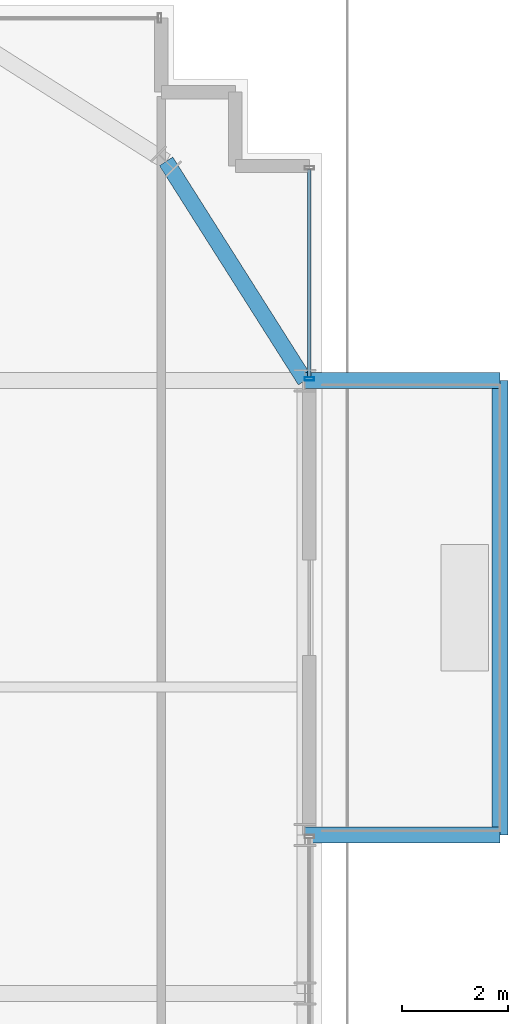
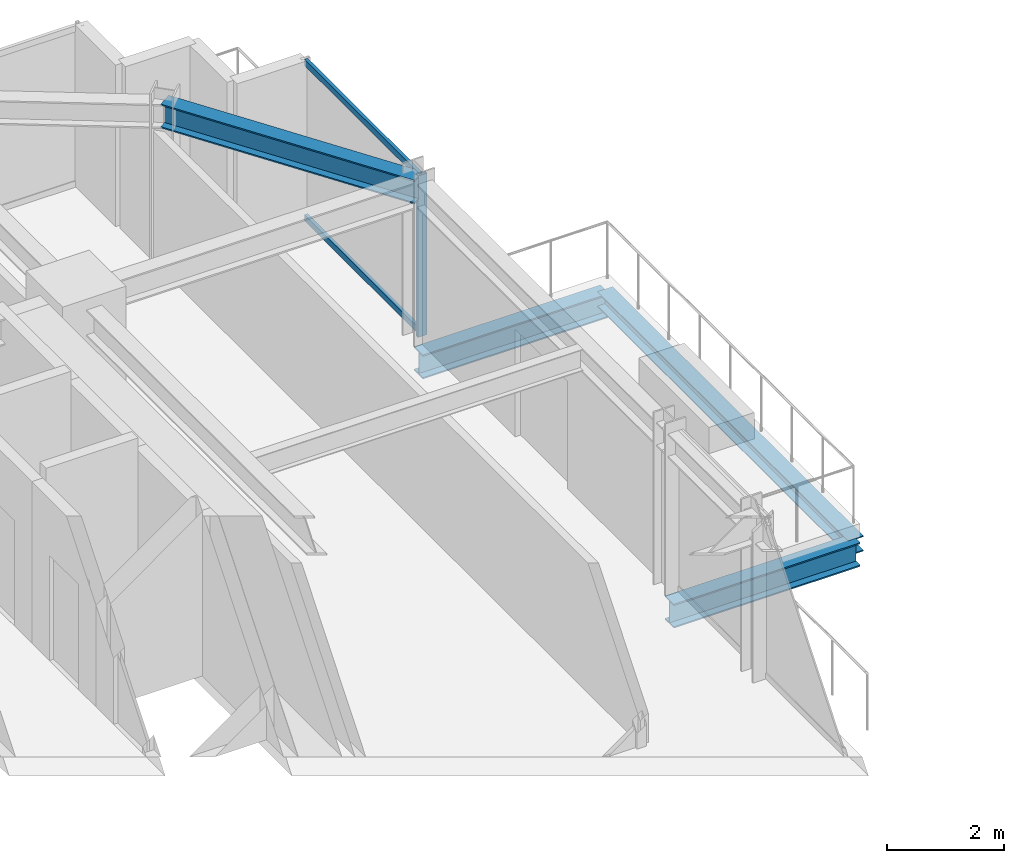
# One storey, part 24 of 34: 4 beams, 3 members, 1 element without a shape of its own.
"""IFC4 building model written with IfcOpenShell, lengths in metres."""

from ifc_helpers import new_model, si_unit, direction, frame, origin, origin_2d, place, context, subcontext, project, spatial, hollow_rectangle, i_section, extrude, source, transform, mapped, material, material_profile, profile_set, type_object, element, aggregate, save


model = new_model("IFC4")

# Units and contexts
model_context = context("Model", 3, precision=1e-05, world=origin(), true_north=direction((0.0, 1.0)))
body_context = subcontext(model_context, "Body", "Model", "MODEL_VIEW")
ifc_project = project(units=[si_unit("LENGTHUNIT", "METRE"), si_unit("AREAUNIT", "SQUARE_METRE"), si_unit("VOLUMEUNIT", "CUBIC_METRE"), si_unit("PLANEANGLEUNIT", "RADIAN"), si_unit("MASSUNIT", "GRAM", prefix="KILO")], contexts=[model_context])

# Site, building, storey
site_placement = place(None, origin())
site = spatial("IfcSite", under=ifc_project, at=site_placement, CompositionType="ELEMENT")
building_placement = place(site_placement, origin())
building = spatial("IfcBuilding", under=site, at=building_placement, Name="Nahalor Promenade Grand Hotel", CompositionType="ELEMENT")
storey_placement = place(building_placement, frame((0.0, 0.0, 88.300048828125)))
storey = spatial("IfcBuildingStorey", under=building, at=storey_placement, Name="L21", CompositionType="ELEMENT", Elevation=88.300048828125)

# Beams
ifc_material_1 = material(Name="Steel S355JR", Category="steel")
ifc_material_profile_1 = material_profile(ifc_material_1, i_section(OverallWidth=0.3, OverallDepth=0.32, WebThickness=0.0115, FlangeThickness=0.0205, at=origin_2d()), Name="HEB 320")
ifc_profile_set_1 = profile_set([ifc_material_profile_1], Name="Steel S355JR")
beam_type_1 = type_object("IfcBeamType", Name="Beam-BalcEdge-HEB320", PredefinedType="SPANDREL", material=ifc_profile_set_1)
shared_shape_1 = source(origin(), body_context, "Body", "SweptSolid", [
    extrude(i_section(OverallWidth=0.3, OverallDepth=0.32, WebThickness=0.0115, FlangeThickness=0.0205, at=origin_2d()), origin(), (0.0, 0.0, 1.0), 8.60009765625),
])
beam_1_placement = place(storey_placement, frame((27.469970703125, 8.39990234375, -0.43994140625), z_axis=(0.0, 1.0, 0.0), x_axis=(-1.0, 0.0, 0.0)))
element("IfcBeam", 1, at=beam_1_placement, inside=storey, type_object=beam_type_1, Name="BM-L21-BC-02-F", PredefinedType="SPANDREL", context=body_context, shape_type="MappedRepresentation", body=[
    mapped(shared_shape_1, transform((0.0, 0.0, 0.0), scale=1.0)),
])
ifc_material_profile_2 = material_profile(ifc_material_1, i_section(OverallWidth=0.3, OverallDepth=0.5, WebThickness=0.0145, FlangeThickness=0.028, at=origin_2d()), Name="HEB 500")
ifc_profile_set_2 = profile_set([ifc_material_profile_2], Name="Steel S355JR")
beam_type_2 = type_object("IfcBeamType", Name="Beam-Outrigger-HEB500", PredefinedType="BEAM", material=ifc_profile_set_2)
shared_shape_2 = source(origin(), body_context, "Body", "SweptSolid", [
    extrude(i_section(OverallWidth=0.3, OverallDepth=0.5, WebThickness=0.0145, FlangeThickness=0.028, at=origin_2d()), origin(), (0.0, 0.0, 1.0), 3.68994140625),
])
for number, where, z_axis, x_axis, name in (
    (2, (23.780029296875, 8.39990234375, -0.530029296875), (1.0, 0.0, 0.0), (0.0, 1.0, 0.0), "BM-L21-BC-02-1"),
    (3, (23.780029296875, 17.0, -0.530029296875), (1.0, 0.0, 0.0), (0.0, 1.0, 0.0), "BM-L21-BC-02-2"),
):
    element("IfcBeam", number, at=place(storey_placement, frame(where, z_axis=z_axis, x_axis=x_axis)), inside=storey, type_object=beam_type_2, Name=name, PredefinedType="BEAM", context=body_context, shape_type="MappedRepresentation", body=[
        mapped(shared_shape_2, transform((0.0, 0.0, 0.0), scale=1.0)),
    ])
ifc_material_profile_3 = material_profile(ifc_material_1, i_section(OverallWidth=0.3, OverallDepth=0.5, WebThickness=0.0145, FlangeThickness=0.028, at=origin_2d()), Name="HEB 500")
ifc_profile_set_3 = profile_set([ifc_material_profile_3], Name="Steel S355JR")
beam_type_3 = type_object("IfcBeamType", Name="Beam-Spandrel-HEB500", PredefinedType="SPANDREL", material=ifc_profile_set_3)
shared_shape_3 = source(origin(), body_context, "Body", "SweptSolid", [
    extrude(i_section(OverallWidth=0.3, OverallDepth=0.5, WebThickness=0.0145, FlangeThickness=0.028, at=origin_2d()), origin(), (0.0, 0.0, 1.0), 4.9130859375),
])
beam_2_placement = place(storey_placement, frame((21.14990234375, 21.14990234375, 3.1298828125), z_axis=(0.535321591403, -0.844648325505, 0.0), x_axis=(0.844648325505, 0.535321591403, 0.0)))
element("IfcBeam", 4, at=beam_2_placement, inside=storey, type_object=beam_type_3, Name="BM-L21-SPC-NE-2", PredefinedType="SPANDREL", context=body_context, shape_type="MappedRepresentation", body=[
    mapped(shared_shape_3, transform((0.0, 0.0, 0.0), scale=1.0)),
])

# Curtain wall, members
ifc_material_2 = material(Name="Anodised Bronze Aluminium EN AW-6063 T6", Category="aluminium")
curtain_wall_type = type_object("IfcCurtainWallType", Name="CW2 Typical Hotel Flush Bronze Unitised Curtain Wall", PredefinedType="USERDEFINED", material=ifc_material_2)
curtain_wall_placement = place(storey_placement, origin())
curtain_wall = element("IfcCurtainWall", 5, at=curtain_wall_placement, inside=storey, type_object=curtain_wall_type, Name="L21 Curtain Wall CW-L21-E-3", ObjectType="UNITISED_CURTAIN_WALL", PredefinedType="USERDEFINED")
ifc_material_profile_4 = material_profile(ifc_material_2, hollow_rectangle(XDim=0.065, YDim=0.18, WallThickness=0.004, at=origin_2d()), Name="CWM 65x180x4")
ifc_profile_set_4 = profile_set([ifc_material_profile_4], Name="Anodised Bronze Aluminium EN AW-6063 T6")
member_type_1 = type_object("IfcMemberType", Name="CWM2 Typical Bronze Mullion 65x180", PredefinedType="MULLION", material=ifc_profile_set_4)
shared_shape_4 = source(origin(), body_context, "Body", "SweptSolid", [
    extrude(hollow_rectangle(XDim=0.065, YDim=0.18, WallThickness=0.004, at=origin_2d()), origin(), (0.0, 0.0, 1.0), 3.3798828125),
])
member_1_placement = place(storey_placement, frame((23.860107421875, 17.032470703125, 0.0), z_axis=(0.0, 0.0, 1.0), x_axis=(0.0, 1.0, 0.0)))
member_1 = element("IfcMember", 6, at=member_1_placement, type_object=member_type_1, Name="CW-L21-E-3 Mullion 0", PredefinedType="MULLION", context=body_context, shape_type="MappedRepresentation", body=[
    mapped(shared_shape_4, transform((0.0, 0.0, 0.0), scale=1.0)),
])
ifc_material_profile_5 = material_profile(ifc_material_2, hollow_rectangle(XDim=0.065, YDim=0.13, WallThickness=0.004, at=origin_2d()), Name="CWT 65x130x4")
ifc_profile_set_5 = profile_set([ifc_material_profile_5], Name="Anodised Bronze Aluminium EN AW-6063 T6")
member_type_2 = type_object("IfcMemberType", Name="CWT2 Typical Bronze Transom 65x130", PredefinedType="USERDEFINED", material=ifc_profile_set_5)
shared_shape_5 = source(origin(), body_context, "Body", "SweptSolid", [
    extrude(hollow_rectangle(XDim=0.065, YDim=0.13, WallThickness=0.004, at=origin_2d()), origin(), (0.0, 0.0, 1.0), 3.93017578125),
])
member_2_placement = place(storey_placement, frame((23.860107421875, 17.06494140625, 0.06494140625), z_axis=(0.0, 1.0, 0.0), x_axis=(-1.0, 0.0, 0.0)))
member_2 = element("IfcMember", 7, at=member_2_placement, type_object=member_type_2, Name="CW-L21-E-3 Transom 0-0", ObjectType="TRANSOM", PredefinedType="USERDEFINED", context=body_context, shape_type="MappedRepresentation", body=[
    mapped(shared_shape_5, transform((0.0, 0.0, 0.0), scale=1.0)),
])
member_3_placement = place(storey_placement, frame((23.860107421875, 17.06494140625, 3.31494140625), z_axis=(0.0, 1.0, 0.0), x_axis=(-1.0, 0.0, 0.0)))
member_3 = element("IfcMember", 8, at=member_3_placement, type_object=member_type_2, Name="CW-L21-E-3 Transom 0-1", ObjectType="TRANSOM", PredefinedType="USERDEFINED", context=body_context, shape_type="MappedRepresentation", body=[
    mapped(shared_shape_5, transform((0.0, 0.0, 0.0), scale=1.0)),
])
aggregate(curtain_wall, [member_1, member_2, member_3])

save(model, "model.ifc")
